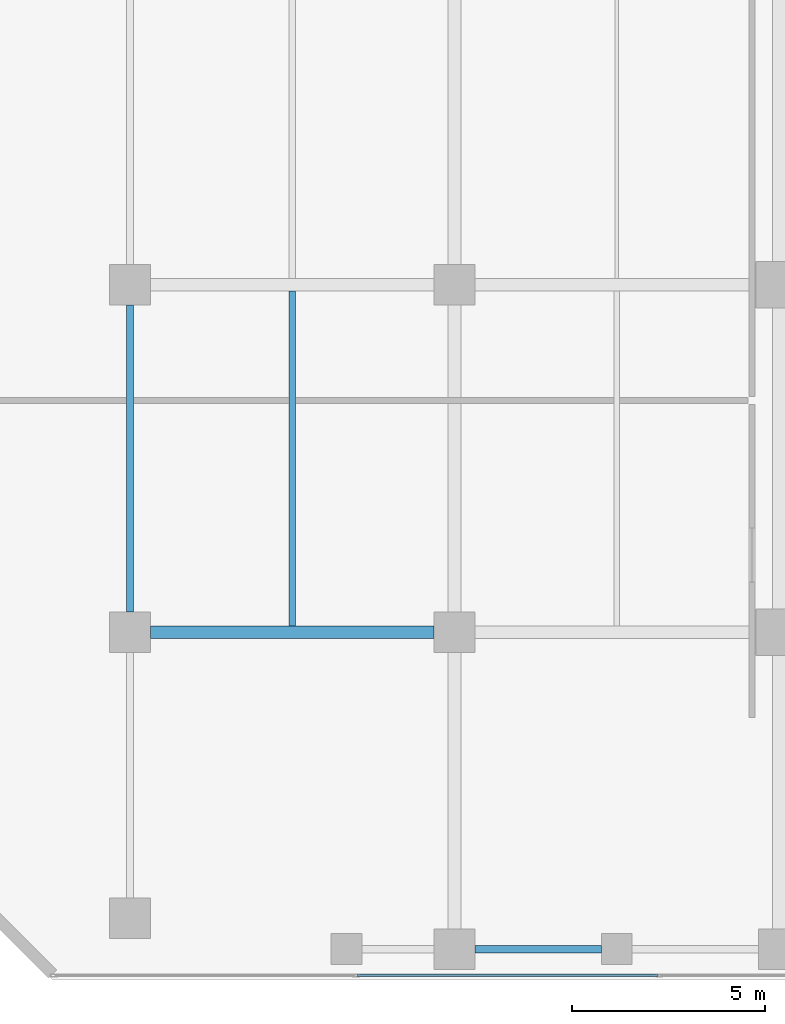
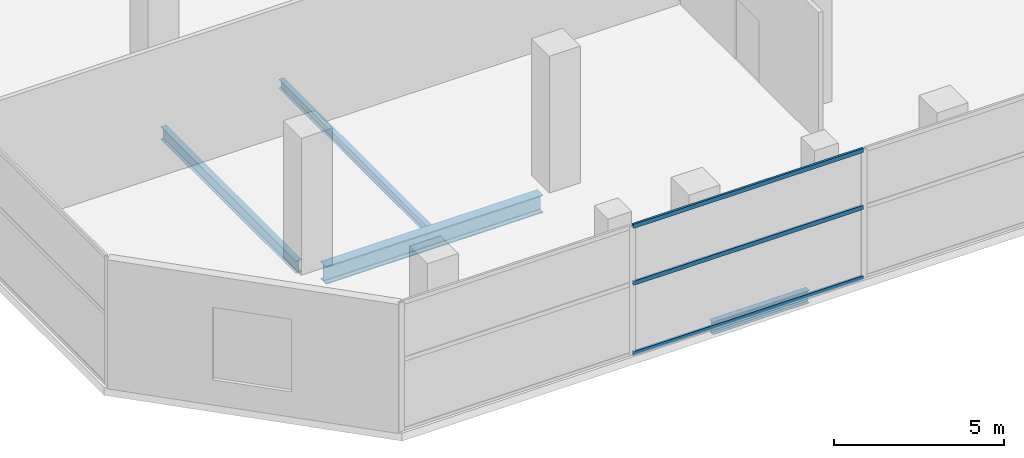
# One storey, part 5 of 39: 4 beams, 3 members, 1 element without a shape of its own.
"""IFC4 building model written with IfcOpenShell, lengths in metres."""

from ifc_helpers import new_model, si_unit, direction, frame, origin, origin_2d, place, context, subcontext, project, spatial, hollow_rectangle, i_section, extrude, material, layer, layer_set, material_profile, profile_set, type_object, element, aggregate, save


model = new_model("IFC4")

# Units and contexts
model_context = context("Model", 3, precision=1e-05, world=origin(), true_north=direction((0.0, 1.0)))
body_context = subcontext(model_context, "Body", "Model", "MODEL_VIEW")
ifc_project = project(units=[si_unit("LENGTHUNIT", "METRE"), si_unit("AREAUNIT", "SQUARE_METRE"), si_unit("VOLUMEUNIT", "CUBIC_METRE"), si_unit("PLANEANGLEUNIT", "RADIAN"), si_unit("MASSUNIT", "GRAM", prefix="KILO")], contexts=[model_context])

# Site, building, storey
site_placement = place(None, origin())
site = spatial("IfcSite", under=ifc_project, at=site_placement, CompositionType="ELEMENT")
building_placement = place(site_placement, origin())
building = spatial("IfcBuilding", under=site, at=building_placement, Name="Maruvema Waterfront Hotel and Observation Tower", CompositionType="ELEMENT")
storey_placement = place(building_placement, frame((0.0, 0.0, 16.449951171875)))
storey = spatial("IfcBuildingStorey", under=building, at=storey_placement, Name="L03", CompositionType="ELEMENT", Elevation=16.449951171875)

# Curtain wall, members
ifc_material_1 = material(Name="Anodised bronze aluminium and solar-control low-E IGU", Category="aluminium")
ifc_layer = layer(ifc_material_1, 0.159912109375, Name="Podium Waterfront Storefront Curtain Wall System CW-01")
ifc_layer_set = layer_set([ifc_layer], Name="Anodised bronze aluminium and solar-control low-E IGU")
curtain_wall_type = type_object("IfcCurtainWallType", Name="Podium Waterfront Storefront Curtain Wall System CW-01", PredefinedType="USERDEFINED", material=ifc_layer_set)
curtain_wall_placement = place(storey_placement, origin())
curtain_wall = element("IfcCurtainWall", 1, at=curtain_wall_placement, inside=storey, type_object=curtain_wall_type, Name="L03 Curtain Wall CW-L03-S", ObjectType="UNITISED CURTAIN WALL", PredefinedType="USERDEFINED")
ifc_material_2 = material(Name="Anodised architectural bronze aluminium", Category="aluminium")
ifc_material_profile_1 = material_profile(ifc_material_2, hollow_rectangle(XDim=0.070068359375, YDim=0.14990234375, WallThickness=0.00390625, at=origin_2d()), Name="ALU-T70x150")
ifc_profile_set_1 = profile_set([ifc_material_profile_1], Name="Anodised architectural bronze aluminium")
member_type = type_object("IfcMemberType", Name="Curtain Wall Horizontal Transom ALU-T70x150", PredefinedType="USERDEFINED", material=ifc_profile_set_1)
member_1_placement = place(storey_placement, frame((14.280029296875, 0.1201171875, 0.030029296875), z_axis=(1.0, 0.0, 0.0), x_axis=(0.0, 1.0, 0.0)))
member_1 = element("IfcMember", 2, at=member_1_placement, type_object=member_type, Name="CW-01 transom 2.1", ObjectType="TRANSOM", PredefinedType="USERDEFINED", context=body_context, shape_type="SweptSolid", body=[
    extrude(hollow_rectangle(XDim=0.070068359375, YDim=0.14990234375, WallThickness=0.00390625, at=origin_2d()), origin(), (0.0, 0.0, 1.0), 7.7900390625),
])
member_2_placement = place(storey_placement, frame((14.280029296875, 0.1201171875, 2.550048828125), z_axis=(1.0, 0.0, 0.0), x_axis=(0.0, 1.0, 0.0)))
member_2 = element("IfcMember", 3, at=member_2_placement, type_object=member_type, Name="CW-01 transom 2.2", ObjectType="TRANSOM", PredefinedType="USERDEFINED", context=body_context, shape_type="SweptSolid", body=[
    extrude(hollow_rectangle(XDim=0.070068359375, YDim=0.14990234375, WallThickness=0.00390625, at=origin_2d()), origin(), (0.0, 0.0, 1.0), 7.7900390625),
])
member_3_placement = place(storey_placement, frame((14.280029296875, 0.1201171875, 4.590087890625), z_axis=(1.0, 0.0, 0.0), x_axis=(0.0, 1.0, 0.0)))
member_3 = element("IfcMember", 4, at=member_3_placement, type_object=member_type, Name="CW-01 transom 2.3", ObjectType="TRANSOM", PredefinedType="USERDEFINED", context=body_context, shape_type="SweptSolid", body=[
    extrude(hollow_rectangle(XDim=0.070068359375, YDim=0.14990234375, WallThickness=0.00390625, at=origin_2d()), origin(), (0.0, 0.0, 1.0), 7.7900390625),
])
aggregate(curtain_wall, [member_1, member_2, member_3])

# Beams
ifc_material_3 = material(Name="Steel ASTM A572 Grade 50", Category="steel")
ifc_material_profile_2 = material_profile(ifc_material_3, i_section(OverallWidth=0.18994140625, OverallDepth=0.45703125, WebThickness=0.009033203125, FlangeThickness=0.014404296875, FilletRadius=0.014892578125, at=origin_2d()), Name="W460x74.0")
ifc_profile_set_2 = profile_set([ifc_material_profile_2], Name="Steel ASTM A572 Grade 50")
beam_type_1 = type_object("IfcBeamType", Name="Perimeter Spandrel Beam W460x74.0", PredefinedType="SPANDREL", material=ifc_profile_set_2)
beam_1_placement = place(storey_placement, frame((17.324951171875, 0.800048828125, -0.508544921875), z_axis=(1.0, 0.0, 0.0), x_axis=(0.0, 1.0, 0.0)))
element("IfcBeam", 5, at=beam_1_placement, inside=storey, type_object=beam_type_1, Name="L03 Floor Girder EW-02", PredefinedType="SPANDREL", context=body_context, shape_type="SweptSolid", body=[
    extrude(i_section(OverallWidth=0.18994140625, OverallDepth=0.45703125, WebThickness=0.009033203125, FlangeThickness=0.014404296875, FilletRadius=0.014892578125, at=origin_2d()), origin(), (0.0, 0.0, 1.0), 3.275146484375),
])
beam_2_placement = place(storey_placement, frame((8.39990234375, 9.52490234375, -0.508544921875), z_axis=(0.0, 1.0, 0.0), x_axis=(-1.0, 0.0, 0.0)))
element("IfcBeam", 6, at=beam_2_placement, inside=storey, type_object=beam_type_1, Name="L03 Floor Girder NS-02", PredefinedType="SPANDREL", context=body_context, shape_type="SweptSolid", body=[
    extrude(i_section(OverallWidth=0.18994140625, OverallDepth=0.45703125, WebThickness=0.009033203125, FlangeThickness=0.014404296875, FilletRadius=0.014892578125, at=origin_2d()), origin(), (0.0, 0.0, 1.0), 7.9501953125),
])
ifc_material_4 = material(Name="Steel ASTM A572 Grade 50", Category="steel")
ifc_material_profile_3 = material_profile(ifc_material_4, i_section(OverallWidth=0.3291015625, OverallDepth=0.635009765625, WebThickness=0.017822265625, FlangeThickness=0.031005859375, FilletRadius=0.01806640625, at=origin_2d()), Name="W610x241.0")
ifc_profile_set_3 = profile_set([ifc_material_profile_3], Name="Steel ASTM A572 Grade 50")
beam_type_2 = type_object("IfcBeamType", Name="Primary Floor Girder W610x241.0", PredefinedType="BEAM", material=ifc_profile_set_3)
beam_3_placement = place(storey_placement, frame((8.925048828125, 9.0, -0.597412109375), z_axis=(1.0, 0.0, 0.0), x_axis=(0.0, 1.0, 0.0)))
element("IfcBeam", 7, at=beam_3_placement, inside=storey, type_object=beam_type_2, Name="L03 Floor Girder EW-10", PredefinedType="BEAM", context=body_context, shape_type="SweptSolid", body=[
    extrude(i_section(OverallWidth=0.3291015625, OverallDepth=0.635009765625, WebThickness=0.017822265625, FlangeThickness=0.031005859375, FilletRadius=0.01806640625, at=origin_2d()), origin(), (0.0, 0.0, 1.0), 7.349853515625),
])
ifc_material_5 = material(Name="Steel ASTM A572 Grade 50", Category="steel")
ifc_material_profile_4 = material_profile(ifc_material_5, i_section(OverallWidth=0.1669921875, OverallDepth=0.31689453125, WebThickness=0.007568359375, FlangeThickness=0.01318359375, FilletRadius=0.012939453125, at=origin_2d()), Name="W310x52.0")
ifc_profile_set_4 = profile_set([ifc_material_profile_4], Name="Steel ASTM A572 Grade 50")
beam_type_3 = type_object("IfcBeamType", Name="Secondary Floor Joist W310x52.0", PredefinedType="JOIST", material=ifc_profile_set_4)
beam_4_placement = place(storey_placement, frame((12.60009765625, 9.16455078125, -0.4384765625), z_axis=(0.0, 1.0, 0.0), x_axis=(-1.0, 0.0, 0.0)))
element("IfcBeam", 8, at=beam_4_placement, inside=storey, type_object=beam_type_3, Name="L03 Secondary Floor Joist JS-01", PredefinedType="JOIST", context=body_context, shape_type="SweptSolid", body=[
    extrude(i_section(OverallWidth=0.1669921875, OverallDepth=0.31689453125, WebThickness=0.007568359375, FlangeThickness=0.01318359375, FilletRadius=0.012939453125, at=origin_2d()), origin(), (0.0, 0.0, 1.0), 8.6708984375),
])

save(model, "model.ifc")
